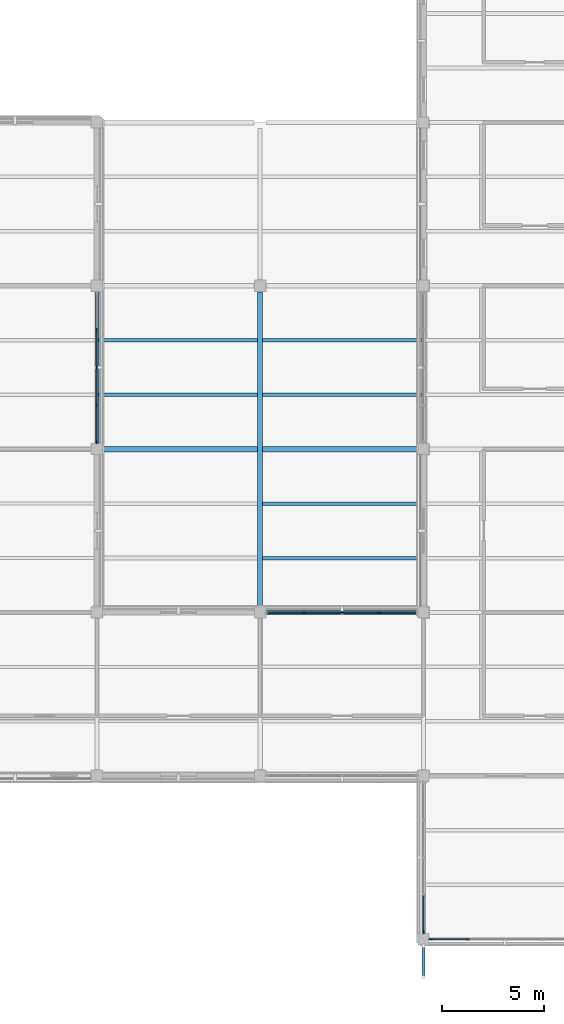
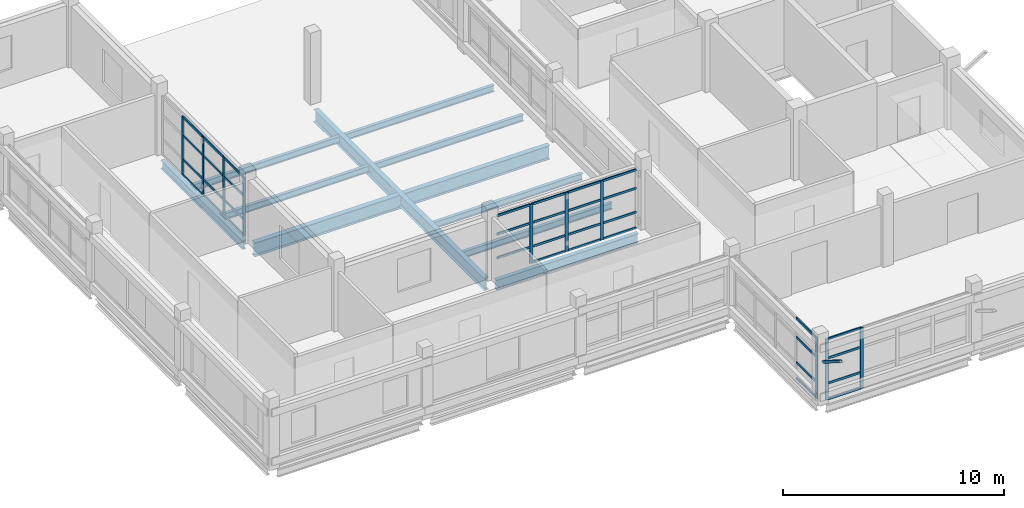
# One storey, part 39 of 107: 46 members, 10 beams, 4 elements without a shape of their own.
"""IFC4 building model written with IfcOpenShell, lengths in metres."""

from ifc_helpers import new_model, si_unit, derived_unit, direction, frame, origin, origin_2d, place, context, subcontext, project, spatial, rectangle, hollow_rectangle, i_section, extrude, material, layer, layer_set, material_profile, profile_set, type_object, element, aggregate, save


model = new_model("IFC4")

# Units and contexts
model_context = context("Model", 3, precision=1e-05, world=origin(), true_north=direction((0.0, 1.0)))
body_context = subcontext(model_context, "Body", "Model", "MODEL_VIEW")
ifc_project = project(units=[si_unit("LENGTHUNIT", "METRE"), si_unit("AREAUNIT", "SQUARE_METRE"), si_unit("VOLUMEUNIT", "CUBIC_METRE"), si_unit("PLANEANGLEUNIT", "RADIAN"), si_unit("MASSUNIT", "GRAM", prefix="KILO"), derived_unit("THERMALTRANSMITTANCEUNIT", [(si_unit("MASSUNIT", "GRAM", prefix="KILO"), 1), (si_unit("TIMEUNIT", "SECOND"), -3), (si_unit("THERMODYNAMICTEMPERATUREUNIT", "KELVIN"), -1)])], contexts=[model_context])

# Site, building, storey
site_placement = place(None, origin())
site = spatial("IfcSite", under=ifc_project, at=site_placement, CompositionType="ELEMENT")
building_placement = place(site_placement, origin())
building = spatial("IfcBuilding", under=site, at=building_placement, Name="Veyamyaing Civic Hall", CompositionType="ELEMENT")
storey_placement = place(building_placement, frame((0.0, 0.0, 13.860107421875)))
storey = spatial("IfcBuildingStorey", under=building, at=storey_placement, Name="L03", CompositionType="ELEMENT", Elevation=13.860107421875)

# Beams
ifc_material_1 = material(Name="Steel ASTM A992", Category="steel")
ifc_material_profile_1 = material_profile(ifc_material_1, i_section(OverallWidth=0.208984375, OverallDepth=0.532958984375, WebThickness=0.01025390625, FlangeThickness=0.015625, FilletRadius=0.011962890625, at=origin_2d()), Name="W530X92")
ifc_profile_set_1 = profile_set([ifc_material_profile_1], Name="Steel ASTM A992")
beam_type_1 = type_object("IfcBeamType", Name="B-07", PredefinedType="BEAM", material=ifc_profile_set_1)
beam_1_placement = place(storey_placement, frame((152.300048828125, 16.0, -0.521728515625), z_axis=(1.0, 0.0, 0.0), x_axis=(0.0, 1.0, 0.0)))
element("IfcBeam", 1, at=beam_1_placement, inside=storey, type_object=beam_type_1, Name="Girder B-07 L03 Grid C 20-21", PredefinedType="BEAM", context=body_context, shape_type="SweptSolid", body=[
    extrude(i_section(OverallWidth=0.208984375, OverallDepth=0.532958984375, WebThickness=0.01025390625, FlangeThickness=0.015625, FilletRadius=0.011962890625, at=origin_2d()), origin(), (0.0, 0.0, 1.0), 7.39990234375),
])
ifc_material_profile_2 = material_profile(ifc_material_1, i_section(OverallWidth=0.19189453125, OverallDepth=0.462890625, WebThickness=0.010498046875, FlangeThickness=0.017578125, FilletRadius=0.010009765625, at=origin_2d()), Name="W460X89")
ifc_profile_set_2 = profile_set([ifc_material_profile_2], Name="Steel ASTM A992")
beam_type_2 = type_object("IfcBeamType", Name="B-08", PredefinedType="BEAM", material=ifc_profile_set_2)
beam_2_placement = place(storey_placement, frame((144.0, 24.300048828125, -0.486572265625), z_axis=(0.0, 1.0, 0.0), x_axis=(-1.0, 0.0, 0.0)))
element("IfcBeam", 2, at=beam_2_placement, inside=storey, type_object=beam_type_2, Name="Girder B-08 L03 Grid 19 D-E", PredefinedType="BEAM", context=body_context, shape_type="SweptSolid", body=[
    extrude(i_section(OverallWidth=0.19189453125, OverallDepth=0.462890625, WebThickness=0.010498046875, FlangeThickness=0.017578125, FilletRadius=0.010009765625, at=origin_2d()), origin(), (0.0, 0.0, 1.0), 7.39990234375),
])
ifc_material_profile_3 = material_profile(ifc_material_1, i_section(OverallWidth=0.26611328125, OverallDepth=0.758056640625, WebThickness=0.013916015625, FlangeThickness=0.019287109375, FilletRadius=0.01611328125, at=origin_2d()), Name="W760X161")
ifc_profile_set_3 = profile_set([ifc_material_profile_3], Name="Steel ASTM A992")
beam_type_3 = type_object("IfcBeamType", Name="B-13", PredefinedType="BEAM", material=ifc_profile_set_3)
beam_3_placement = place(storey_placement, frame((144.300048828125, 24.0, -0.619140625), z_axis=(1.0, 0.0, 0.0), x_axis=(0.0, 1.0, 0.0)))
element("IfcBeam", 3, at=beam_3_placement, inside=storey, type_object=beam_type_3, Name="Girder B-13 L03 Grid D 19-21", PredefinedType="BEAM", context=body_context, shape_type="SweptSolid", body=[
    extrude(i_section(OverallWidth=0.26611328125, OverallDepth=0.758056640625, WebThickness=0.013916015625, FlangeThickness=0.019287109375, FilletRadius=0.01611328125, at=origin_2d()), origin(), (0.0, 0.0, 1.0), 15.39990234375),
])
ifc_material_profile_4 = material_profile(ifc_material_1, i_section(OverallWidth=0.25390625, OverallDepth=0.68408203125, WebThickness=0.012451171875, FlangeThickness=0.01904296875, FilletRadius=0.013916015625, at=origin_2d()), Name="W690X140")
ifc_profile_set_4 = profile_set([ifc_material_profile_4], Name="Steel ASTM A992")
beam_type_4 = type_object("IfcBeamType", Name="B-14", PredefinedType="BEAM", material=ifc_profile_set_4)
beam_4_placement = place(storey_placement, frame((152.0, 16.300048828125, -0.58203125), z_axis=(0.0, 1.0, 0.0), x_axis=(-1.0, 0.0, 0.0)))
element("IfcBeam", 4, at=beam_4_placement, inside=storey, type_object=beam_type_4, Name="Girder B-14 L03 Grid 20 C-E", PredefinedType="BEAM", context=body_context, shape_type="SweptSolid", body=[
    extrude(i_section(OverallWidth=0.25390625, OverallDepth=0.68408203125, WebThickness=0.012451171875, FlangeThickness=0.01904296875, FilletRadius=0.013916015625, at=origin_2d()), origin(), (0.0, 0.0, 1.0), 15.39990234375),
])

# Curtain wall, members
ifc_material_2 = material(Name="Anodised aluminium 6063-T6", Category="aluminium")
ifc_layer = layer(ifc_material_2, 0.159912109375, Name="Anodised aluminium 6063-T6")
ifc_layer_set = layer_set([ifc_layer], Name="Anodised aluminium 6063-T6")
curtain_wall_type = type_object("IfcCurtainWallType", Name="CW-07", PredefinedType="NOTDEFINED", material=ifc_layer_set)
curtain_wall_1_placement = place(storey_placement, origin())
curtain_wall_1 = element("IfcCurtainWall", 5, at=curtain_wall_1_placement, inside=storey, type_object=curtain_wall_type, Name="Unitized curtain wall CW-07 L03 E 18.4", PredefinedType="NOTDEFINED")
ifc_material_profile_5 = material_profile(ifc_material_2, rectangle(XDim=0.06494140625, YDim=0.159912109375, at=origin_2d()), Name="ALU-MUL-65X160")
ifc_profile_set_5 = profile_set([ifc_material_profile_5], Name="Anodised aluminium 6063-T6")
member_type_1 = type_object("IfcMemberType", Name="CWM-01", PredefinedType="MULLION", material=ifc_profile_set_5)
member_1_placement = place(storey_placement, frame((144.0, 24.33740234375, 0.0), z_axis=(0.0, 0.0, 1.0), x_axis=(-1.0, 0.0, 0.0)))
member_1 = element("IfcMember", 6, at=member_1_placement, type_object=member_type_1, Name="CW-07 mullion 1", PredefinedType="MULLION", context=body_context, shape_type="SweptSolid", body=[
    extrude(rectangle(XDim=0.06494140625, YDim=0.159912109375, at=origin_2d()), origin(), (0.0, 0.0, 1.0), 3.248779296875),
])
member_2_placement = place(storey_placement, frame((144.0, 26.152587890625, 0.0), z_axis=(0.0, 0.0, 1.0), x_axis=(-1.0, 0.0, 0.0)))
member_2 = element("IfcMember", 7, at=member_2_placement, type_object=member_type_1, Name="CW-07 mullion 2", PredefinedType="MULLION", context=body_context, shape_type="SweptSolid", body=[
    extrude(rectangle(XDim=0.06494140625, YDim=0.159912109375, at=origin_2d()), origin(), (0.0, 0.0, 1.0), 3.248779296875),
])
member_3_placement = place(storey_placement, frame((144.0, 28.0, 0.0), z_axis=(0.0, 0.0, 1.0), x_axis=(-1.0, 0.0, 0.0)))
member_3 = element("IfcMember", 8, at=member_3_placement, type_object=member_type_1, Name="CW-07 mullion 3", PredefinedType="MULLION", context=body_context, shape_type="SweptSolid", body=[
    extrude(rectangle(XDim=0.06494140625, YDim=0.159912109375, at=origin_2d()), origin(), (0.0, 0.0, 1.0), 3.248779296875),
])
member_4_placement = place(storey_placement, frame((144.0, 29.847412109375, 0.0), z_axis=(0.0, 0.0, 1.0), x_axis=(-1.0, 0.0, 0.0)))
member_4 = element("IfcMember", 9, at=member_4_placement, type_object=member_type_1, Name="CW-07 mullion 4", PredefinedType="MULLION", context=body_context, shape_type="SweptSolid", body=[
    extrude(rectangle(XDim=0.06494140625, YDim=0.159912109375, at=origin_2d()), origin(), (0.0, 0.0, 1.0), 3.248779296875),
])

curtain_wall_2_placement = place(storey_placement, origin())
curtain_wall_2 = element("IfcCurtainWall", 10, at=curtain_wall_2_placement, inside=storey, type_object=curtain_wall_type, Name="Unitized curtain wall CW-07 L03 N 20.2", PredefinedType="NOTDEFINED")
member_5_placement = place(storey_placement, frame((154.152587890625, 16.0, 0.0), z_axis=(0.0, 0.0, 1.0), x_axis=(0.0, 1.0, 0.0)))
member_5 = element("IfcMember", 11, at=member_5_placement, type_object=member_type_1, Name="CW-07 mullion 2", PredefinedType="MULLION", context=body_context, shape_type="SweptSolid", body=[
    extrude(rectangle(XDim=0.06494140625, YDim=0.159912109375, at=origin_2d()), origin(), (0.0, 0.0, 1.0), 3.260009765625),
])
member_6_placement = place(storey_placement, frame((156.0, 16.0, 0.0), z_axis=(0.0, 0.0, 1.0), x_axis=(0.0, 1.0, 0.0)))
member_6 = element("IfcMember", 12, at=member_6_placement, type_object=member_type_1, Name="CW-07 mullion 3", PredefinedType="MULLION", context=body_context, shape_type="SweptSolid", body=[
    extrude(rectangle(XDim=0.06494140625, YDim=0.159912109375, at=origin_2d()), origin(), (0.0, 0.0, 1.0), 3.260009765625),
])
member_7_placement = place(storey_placement, frame((157.847412109375, 16.0, 0.0), z_axis=(0.0, 0.0, 1.0), x_axis=(0.0, 1.0, 0.0)))
member_7 = element("IfcMember", 13, at=member_7_placement, type_object=member_type_1, Name="CW-07 mullion 4", PredefinedType="MULLION", context=body_context, shape_type="SweptSolid", body=[
    extrude(rectangle(XDim=0.06494140625, YDim=0.159912109375, at=origin_2d()), origin(), (0.0, 0.0, 1.0), 3.260009765625),
])

curtain_wall_3_placement = place(storey_placement, origin())
curtain_wall_3 = element("IfcCurtainWall", 14, at=curtain_wall_3_placement, inside=storey, type_object=curtain_wall_type, Name="Unitized curtain wall CW-07 L03 S 21.1", PredefinedType="NOTDEFINED")
member_8_placement = place(storey_placement, frame((160.33740234375, 0.0, 0.0), z_axis=(0.0, 0.0, 1.0), x_axis=(0.0, 1.0, 0.0)))
member_8 = element("IfcMember", 15, at=member_8_placement, type_object=member_type_1, Name="CW-07 mullion 1", PredefinedType="MULLION", context=body_context, shape_type="SweptSolid", body=[
    extrude(rectangle(XDim=0.06494140625, YDim=0.159912109375, at=origin_2d()), origin(), (0.0, 0.0, 1.0), 3.36181640625),
])
member_9_placement = place(storey_placement, frame((162.152587890625, 0.0, 0.0), z_axis=(0.0, 0.0, 1.0), x_axis=(0.0, 1.0, 0.0)))
member_9 = element("IfcMember", 16, at=member_9_placement, type_object=member_type_1, Name="CW-07 mullion 2", PredefinedType="MULLION", context=body_context, shape_type="SweptSolid", body=[
    extrude(rectangle(XDim=0.06494140625, YDim=0.159912109375, at=origin_2d()), origin(), (0.0, 0.0, 1.0), 3.36181640625),
])

# Curtain wall, member
curtain_wall_4_placement = place(storey_placement, origin())
curtain_wall_4 = element("IfcCurtainWall", 17, at=curtain_wall_4_placement, inside=storey, type_object=curtain_wall_type, Name="Unitized curtain wall CW-07 L03 W 21.1", PredefinedType="NOTDEFINED")
member_10_placement = place(storey_placement, frame((160.0, 0.33740234375, 0.0), z_axis=(0.0, 0.0, 1.0), x_axis=(-1.0, 0.0, 0.0)))
member_10 = element("IfcMember", 18, at=member_10_placement, type_object=member_type_1, Name="CW-07 mullion 1", PredefinedType="MULLION", context=body_context, shape_type="SweptSolid", body=[
    extrude(rectangle(XDim=0.06494140625, YDim=0.159912109375, at=origin_2d()), origin(), (0.0, 0.0, 1.0), 3.36181640625),
])

# Member
ifc_material_profile_6 = material_profile(ifc_material_2, rectangle(XDim=0.06494140625, YDim=0.1201171875, at=origin_2d()), Name="ALU-TRN-65X120")
ifc_profile_set_6 = profile_set([ifc_material_profile_6], Name="Anodised aluminium 6063-T6")
member_type_2 = type_object("IfcMemberType", Name="CWT-01", PredefinedType="USERDEFINED", material=ifc_profile_set_6)
member_11_placement = place(storey_placement, frame((144.0, 24.3701171875, 0.032470703125), z_axis=(0.0, 1.0, 0.0), x_axis=(-1.0, 0.0, 0.0)))
member_11 = element("IfcMember", 19, at=member_11_placement, type_object=member_type_2, Name="CW-07 transom 1.1", ObjectType="TRANSOM", PredefinedType="USERDEFINED", context=body_context, shape_type="SweptSolid", body=[
    extrude(rectangle(XDim=0.06494140625, YDim=0.1201171875, at=origin_2d()), origin(), (0.0, 0.0, 1.0), 1.75),
])

member_12_placement = place(storey_placement, frame((144.0, 24.3701171875, 0.89990234375), z_axis=(0.0, 1.0, 0.0), x_axis=(-1.0, 0.0, 0.0)))
member_12 = element("IfcMember", 20, at=member_12_placement, type_object=member_type_2, Name="CW-07 transom 1.2", ObjectType="TRANSOM", PredefinedType="USERDEFINED", context=body_context, shape_type="SweptSolid", body=[
    extrude(rectangle(XDim=0.06494140625, YDim=0.1201171875, at=origin_2d()), origin(), (0.0, 0.0, 1.0), 1.75),
])

member_13_placement = place(storey_placement, frame((144.0, 24.3701171875, 2.209228515625), z_axis=(0.0, 1.0, 0.0), x_axis=(-1.0, 0.0, 0.0)))
member_13 = element("IfcMember", 21, at=member_13_placement, type_object=member_type_2, Name="CW-07 transom 1.3", ObjectType="TRANSOM", PredefinedType="USERDEFINED", context=body_context, shape_type="SweptSolid", body=[
    extrude(rectangle(XDim=0.06494140625, YDim=0.1201171875, at=origin_2d()), origin(), (0.0, 0.0, 1.0), 1.75),
])

member_14_placement = place(storey_placement, frame((144.0, 24.3701171875, 3.21630859375), z_axis=(0.0, 1.0, 0.0), x_axis=(-1.0, 0.0, 0.0)))
member_14 = element("IfcMember", 22, at=member_14_placement, type_object=member_type_2, Name="CW-07 transom 1.4", ObjectType="TRANSOM", PredefinedType="USERDEFINED", context=body_context, shape_type="SweptSolid", body=[
    extrude(rectangle(XDim=0.06494140625, YDim=0.1201171875, at=origin_2d()), origin(), (0.0, 0.0, 1.0), 1.75),
])

member_15_placement = place(storey_placement, frame((144.0, 26.18505859375, 0.032470703125), z_axis=(0.0, 1.0, 0.0), x_axis=(-1.0, 0.0, 0.0)))
member_15 = element("IfcMember", 23, at=member_15_placement, type_object=member_type_2, Name="CW-07 transom 2.1", ObjectType="TRANSOM", PredefinedType="USERDEFINED", context=body_context, shape_type="SweptSolid", body=[
    extrude(rectangle(XDim=0.06494140625, YDim=0.1201171875, at=origin_2d()), origin(), (0.0, 0.0, 1.0), 1.782470703125),
])

member_16_placement = place(storey_placement, frame((144.0, 26.18505859375, 0.89990234375), z_axis=(0.0, 1.0, 0.0), x_axis=(-1.0, 0.0, 0.0)))
member_16 = element("IfcMember", 24, at=member_16_placement, type_object=member_type_2, Name="CW-07 transom 2.2", ObjectType="TRANSOM", PredefinedType="USERDEFINED", context=body_context, shape_type="SweptSolid", body=[
    extrude(rectangle(XDim=0.06494140625, YDim=0.1201171875, at=origin_2d()), origin(), (0.0, 0.0, 1.0), 1.782470703125),
])

member_17_placement = place(storey_placement, frame((144.0, 26.18505859375, 2.209228515625), z_axis=(0.0, 1.0, 0.0), x_axis=(-1.0, 0.0, 0.0)))
member_17 = element("IfcMember", 25, at=member_17_placement, type_object=member_type_2, Name="CW-07 transom 2.3", ObjectType="TRANSOM", PredefinedType="USERDEFINED", context=body_context, shape_type="SweptSolid", body=[
    extrude(rectangle(XDim=0.06494140625, YDim=0.1201171875, at=origin_2d()), origin(), (0.0, 0.0, 1.0), 1.782470703125),
])

member_18_placement = place(storey_placement, frame((144.0, 26.18505859375, 3.21630859375), z_axis=(0.0, 1.0, 0.0), x_axis=(-1.0, 0.0, 0.0)))
member_18 = element("IfcMember", 26, at=member_18_placement, type_object=member_type_2, Name="CW-07 transom 2.4", ObjectType="TRANSOM", PredefinedType="USERDEFINED", context=body_context, shape_type="SweptSolid", body=[
    extrude(rectangle(XDim=0.06494140625, YDim=0.1201171875, at=origin_2d()), origin(), (0.0, 0.0, 1.0), 1.782470703125),
])

member_19_placement = place(storey_placement, frame((144.0, 28.032470703125, 0.032470703125), z_axis=(0.0, 1.0, 0.0), x_axis=(-1.0, 0.0, 0.0)))
member_19 = element("IfcMember", 27, at=member_19_placement, type_object=member_type_2, Name="CW-07 transom 3.1", ObjectType="TRANSOM", PredefinedType="USERDEFINED", context=body_context, shape_type="SweptSolid", body=[
    extrude(rectangle(XDim=0.06494140625, YDim=0.1201171875, at=origin_2d()), origin(), (0.0, 0.0, 1.0), 1.782470703125),
])

member_20_placement = place(storey_placement, frame((144.0, 28.032470703125, 0.89990234375), z_axis=(0.0, 1.0, 0.0), x_axis=(-1.0, 0.0, 0.0)))
member_20 = element("IfcMember", 28, at=member_20_placement, type_object=member_type_2, Name="CW-07 transom 3.2", ObjectType="TRANSOM", PredefinedType="USERDEFINED", context=body_context, shape_type="SweptSolid", body=[
    extrude(rectangle(XDim=0.06494140625, YDim=0.1201171875, at=origin_2d()), origin(), (0.0, 0.0, 1.0), 1.782470703125),
])

member_21_placement = place(storey_placement, frame((144.0, 28.032470703125, 2.209228515625), z_axis=(0.0, 1.0, 0.0), x_axis=(-1.0, 0.0, 0.0)))
member_21 = element("IfcMember", 29, at=member_21_placement, type_object=member_type_2, Name="CW-07 transom 3.3", ObjectType="TRANSOM", PredefinedType="USERDEFINED", context=body_context, shape_type="SweptSolid", body=[
    extrude(rectangle(XDim=0.06494140625, YDim=0.1201171875, at=origin_2d()), origin(), (0.0, 0.0, 1.0), 1.782470703125),
])

member_22_placement = place(storey_placement, frame((144.0, 28.032470703125, 3.21630859375), z_axis=(0.0, 1.0, 0.0), x_axis=(-1.0, 0.0, 0.0)))
member_22 = element("IfcMember", 30, at=member_22_placement, type_object=member_type_2, Name="CW-07 transom 3.4", ObjectType="TRANSOM", PredefinedType="USERDEFINED", context=body_context, shape_type="SweptSolid", body=[
    extrude(rectangle(XDim=0.06494140625, YDim=0.1201171875, at=origin_2d()), origin(), (0.0, 0.0, 1.0), 1.782470703125),
])

aggregate(curtain_wall_1, [member_1, member_2, member_3, member_4, member_11, member_12, member_13, member_14, member_15, member_16, member_17, member_18, member_19, member_20, member_21, member_22])

member_23_placement = place(storey_placement, frame((152.3701171875, 16.0, 0.89990234375), z_axis=(1.0, 0.0, 0.0), x_axis=(0.0, 1.0, 0.0)))
member_23 = element("IfcMember", 31, at=member_23_placement, type_object=member_type_2, Name="CW-07 transom 1.2", ObjectType="TRANSOM", PredefinedType="USERDEFINED", context=body_context, shape_type="SweptSolid", body=[
    extrude(rectangle(XDim=0.06494140625, YDim=0.1201171875, at=origin_2d()), origin(), (0.0, 0.0, 1.0), 1.75),
])

member_24_placement = place(storey_placement, frame((152.3701171875, 16.0, 2.216796875), z_axis=(1.0, 0.0, 0.0), x_axis=(0.0, 1.0, 0.0)))
member_24 = element("IfcMember", 32, at=member_24_placement, type_object=member_type_2, Name="CW-07 transom 1.3", ObjectType="TRANSOM", PredefinedType="USERDEFINED", context=body_context, shape_type="SweptSolid", body=[
    extrude(rectangle(XDim=0.06494140625, YDim=0.1201171875, at=origin_2d()), origin(), (0.0, 0.0, 1.0), 1.75),
])

member_25_placement = place(storey_placement, frame((152.3701171875, 16.0, 3.227294921875), z_axis=(1.0, 0.0, 0.0), x_axis=(0.0, 1.0, 0.0)))
member_25 = element("IfcMember", 33, at=member_25_placement, type_object=member_type_2, Name="CW-07 transom 1.4", ObjectType="TRANSOM", PredefinedType="USERDEFINED", context=body_context, shape_type="SweptSolid", body=[
    extrude(rectangle(XDim=0.06494140625, YDim=0.1201171875, at=origin_2d()), origin(), (0.0, 0.0, 1.0), 1.75),
])

member_26_placement = place(storey_placement, frame((154.18505859375, 16.0, 0.032470703125), z_axis=(1.0, 0.0, 0.0), x_axis=(0.0, 1.0, 0.0)))
member_26 = element("IfcMember", 34, at=member_26_placement, type_object=member_type_2, Name="CW-07 transom 2.1", ObjectType="TRANSOM", PredefinedType="USERDEFINED", context=body_context, shape_type="SweptSolid", body=[
    extrude(rectangle(XDim=0.06494140625, YDim=0.1201171875, at=origin_2d()), origin(), (0.0, 0.0, 1.0), 1.782470703125),
])

member_27_placement = place(storey_placement, frame((154.18505859375, 16.0, 0.89990234375), z_axis=(1.0, 0.0, 0.0), x_axis=(0.0, 1.0, 0.0)))
member_27 = element("IfcMember", 35, at=member_27_placement, type_object=member_type_2, Name="CW-07 transom 2.2", ObjectType="TRANSOM", PredefinedType="USERDEFINED", context=body_context, shape_type="SweptSolid", body=[
    extrude(rectangle(XDim=0.06494140625, YDim=0.1201171875, at=origin_2d()), origin(), (0.0, 0.0, 1.0), 1.782470703125),
])

member_28_placement = place(storey_placement, frame((154.18505859375, 16.0, 2.216796875), z_axis=(1.0, 0.0, 0.0), x_axis=(0.0, 1.0, 0.0)))
member_28 = element("IfcMember", 36, at=member_28_placement, type_object=member_type_2, Name="CW-07 transom 2.3", ObjectType="TRANSOM", PredefinedType="USERDEFINED", context=body_context, shape_type="SweptSolid", body=[
    extrude(rectangle(XDim=0.06494140625, YDim=0.1201171875, at=origin_2d()), origin(), (0.0, 0.0, 1.0), 1.782470703125),
])

member_29_placement = place(storey_placement, frame((154.18505859375, 16.0, 3.227294921875), z_axis=(1.0, 0.0, 0.0), x_axis=(0.0, 1.0, 0.0)))
member_29 = element("IfcMember", 37, at=member_29_placement, type_object=member_type_2, Name="CW-07 transom 2.4", ObjectType="TRANSOM", PredefinedType="USERDEFINED", context=body_context, shape_type="SweptSolid", body=[
    extrude(rectangle(XDim=0.06494140625, YDim=0.1201171875, at=origin_2d()), origin(), (0.0, 0.0, 1.0), 1.782470703125),
])

member_30_placement = place(storey_placement, frame((156.032470703125, 16.0, 0.032470703125), z_axis=(1.0, 0.0, 0.0), x_axis=(0.0, 1.0, 0.0)))
member_30 = element("IfcMember", 38, at=member_30_placement, type_object=member_type_2, Name="CW-07 transom 3.1", ObjectType="TRANSOM", PredefinedType="USERDEFINED", context=body_context, shape_type="SweptSolid", body=[
    extrude(rectangle(XDim=0.06494140625, YDim=0.1201171875, at=origin_2d()), origin(), (0.0, 0.0, 1.0), 1.782470703125),
])

member_31_placement = place(storey_placement, frame((156.032470703125, 16.0, 0.89990234375), z_axis=(1.0, 0.0, 0.0), x_axis=(0.0, 1.0, 0.0)))
member_31 = element("IfcMember", 39, at=member_31_placement, type_object=member_type_2, Name="CW-07 transom 3.2", ObjectType="TRANSOM", PredefinedType="USERDEFINED", context=body_context, shape_type="SweptSolid", body=[
    extrude(rectangle(XDim=0.06494140625, YDim=0.1201171875, at=origin_2d()), origin(), (0.0, 0.0, 1.0), 1.782470703125),
])

member_32_placement = place(storey_placement, frame((156.032470703125, 16.0, 2.216796875), z_axis=(1.0, 0.0, 0.0), x_axis=(0.0, 1.0, 0.0)))
member_32 = element("IfcMember", 40, at=member_32_placement, type_object=member_type_2, Name="CW-07 transom 3.3", ObjectType="TRANSOM", PredefinedType="USERDEFINED", context=body_context, shape_type="SweptSolid", body=[
    extrude(rectangle(XDim=0.06494140625, YDim=0.1201171875, at=origin_2d()), origin(), (0.0, 0.0, 1.0), 1.782470703125),
])

member_33_placement = place(storey_placement, frame((156.032470703125, 16.0, 3.227294921875), z_axis=(1.0, 0.0, 0.0), x_axis=(0.0, 1.0, 0.0)))
member_33 = element("IfcMember", 41, at=member_33_placement, type_object=member_type_2, Name="CW-07 transom 3.4", ObjectType="TRANSOM", PredefinedType="USERDEFINED", context=body_context, shape_type="SweptSolid", body=[
    extrude(rectangle(XDim=0.06494140625, YDim=0.1201171875, at=origin_2d()), origin(), (0.0, 0.0, 1.0), 1.782470703125),
])

member_34_placement = place(storey_placement, frame((157.8798828125, 16.0, 0.032470703125), z_axis=(1.0, 0.0, 0.0), x_axis=(0.0, 1.0, 0.0)))
member_34 = element("IfcMember", 42, at=member_34_placement, type_object=member_type_2, Name="CW-07 transom 4.1", ObjectType="TRANSOM", PredefinedType="USERDEFINED", context=body_context, shape_type="SweptSolid", body=[
    extrude(rectangle(XDim=0.06494140625, YDim=0.1201171875, at=origin_2d()), origin(), (0.0, 0.0, 1.0), 1.75),
])

member_35_placement = place(storey_placement, frame((157.8798828125, 16.0, 0.89990234375), z_axis=(1.0, 0.0, 0.0), x_axis=(0.0, 1.0, 0.0)))
member_35 = element("IfcMember", 43, at=member_35_placement, type_object=member_type_2, Name="CW-07 transom 4.2", ObjectType="TRANSOM", PredefinedType="USERDEFINED", context=body_context, shape_type="SweptSolid", body=[
    extrude(rectangle(XDim=0.06494140625, YDim=0.1201171875, at=origin_2d()), origin(), (0.0, 0.0, 1.0), 1.75),
])

member_36_placement = place(storey_placement, frame((157.8798828125, 16.0, 2.216796875), z_axis=(1.0, 0.0, 0.0), x_axis=(0.0, 1.0, 0.0)))
member_36 = element("IfcMember", 44, at=member_36_placement, type_object=member_type_2, Name="CW-07 transom 4.3", ObjectType="TRANSOM", PredefinedType="USERDEFINED", context=body_context, shape_type="SweptSolid", body=[
    extrude(rectangle(XDim=0.06494140625, YDim=0.1201171875, at=origin_2d()), origin(), (0.0, 0.0, 1.0), 1.75),
])

member_37_placement = place(storey_placement, frame((157.8798828125, 16.0, 3.227294921875), z_axis=(1.0, 0.0, 0.0), x_axis=(0.0, 1.0, 0.0)))
member_37 = element("IfcMember", 45, at=member_37_placement, type_object=member_type_2, Name="CW-07 transom 4.4", ObjectType="TRANSOM", PredefinedType="USERDEFINED", context=body_context, shape_type="SweptSolid", body=[
    extrude(rectangle(XDim=0.06494140625, YDim=0.1201171875, at=origin_2d()), origin(), (0.0, 0.0, 1.0), 1.75),
])

aggregate(curtain_wall_2, [member_5, member_6, member_7, member_23, member_24, member_25, member_26, member_27, member_28, member_29, member_30, member_31, member_32, member_33, member_34, member_35, member_36, member_37])

member_38_placement = place(storey_placement, frame((160.3701171875, 0.0, 0.032470703125), z_axis=(1.0, 0.0, 0.0), x_axis=(0.0, 1.0, 0.0)))
member_38 = element("IfcMember", 46, at=member_38_placement, type_object=member_type_2, Name="CW-07 transom 1.1", ObjectType="TRANSOM", PredefinedType="USERDEFINED", context=body_context, shape_type="SweptSolid", body=[
    extrude(rectangle(XDim=0.06494140625, YDim=0.1201171875, at=origin_2d()), origin(), (0.0, 0.0, 1.0), 1.75),
])

member_39_placement = place(storey_placement, frame((160.3701171875, 0.0, 0.89990234375), z_axis=(1.0, 0.0, 0.0), x_axis=(0.0, 1.0, 0.0)))
member_39 = element("IfcMember", 47, at=member_39_placement, type_object=member_type_2, Name="CW-07 transom 1.2", ObjectType="TRANSOM", PredefinedType="USERDEFINED", context=body_context, shape_type="SweptSolid", body=[
    extrude(rectangle(XDim=0.06494140625, YDim=0.1201171875, at=origin_2d()), origin(), (0.0, 0.0, 1.0), 1.75),
])

member_40_placement = place(storey_placement, frame((160.3701171875, 0.0, 2.2861328125), z_axis=(1.0, 0.0, 0.0), x_axis=(0.0, 1.0, 0.0)))
member_40 = element("IfcMember", 48, at=member_40_placement, type_object=member_type_2, Name="CW-07 transom 1.3", ObjectType="TRANSOM", PredefinedType="USERDEFINED", context=body_context, shape_type="SweptSolid", body=[
    extrude(rectangle(XDim=0.06494140625, YDim=0.1201171875, at=origin_2d()), origin(), (0.0, 0.0, 1.0), 1.75),
])

member_41_placement = place(storey_placement, frame((160.3701171875, 0.0, 3.329345703125), z_axis=(1.0, 0.0, 0.0), x_axis=(0.0, 1.0, 0.0)))
member_41 = element("IfcMember", 49, at=member_41_placement, type_object=member_type_2, Name="CW-07 transom 1.4", ObjectType="TRANSOM", PredefinedType="USERDEFINED", context=body_context, shape_type="SweptSolid", body=[
    extrude(rectangle(XDim=0.06494140625, YDim=0.1201171875, at=origin_2d()), origin(), (0.0, 0.0, 1.0), 1.75),
])

aggregate(curtain_wall_3, [member_8, member_9, member_38, member_39, member_40, member_41])

member_42_placement = place(storey_placement, frame((160.0, 0.3701171875, 0.032470703125), z_axis=(0.0, 1.0, 0.0), x_axis=(-1.0, 0.0, 0.0)))
member_42 = element("IfcMember", 50, at=member_42_placement, type_object=member_type_2, Name="CW-07 transom 1.1", ObjectType="TRANSOM", PredefinedType="USERDEFINED", context=body_context, shape_type="SweptSolid", body=[
    extrude(rectangle(XDim=0.06494140625, YDim=0.1201171875, at=origin_2d()), origin(), (0.0, 0.0, 1.0), 1.75),
])

member_43_placement = place(storey_placement, frame((160.0, 0.3701171875, 0.89990234375), z_axis=(0.0, 1.0, 0.0), x_axis=(-1.0, 0.0, 0.0)))
member_43 = element("IfcMember", 51, at=member_43_placement, type_object=member_type_2, Name="CW-07 transom 1.2", ObjectType="TRANSOM", PredefinedType="USERDEFINED", context=body_context, shape_type="SweptSolid", body=[
    extrude(rectangle(XDim=0.06494140625, YDim=0.1201171875, at=origin_2d()), origin(), (0.0, 0.0, 1.0), 1.75),
])

member_44_placement = place(storey_placement, frame((160.0, 0.3701171875, 2.2861328125), z_axis=(0.0, 1.0, 0.0), x_axis=(-1.0, 0.0, 0.0)))
member_44 = element("IfcMember", 52, at=member_44_placement, type_object=member_type_2, Name="CW-07 transom 1.3", ObjectType="TRANSOM", PredefinedType="USERDEFINED", context=body_context, shape_type="SweptSolid", body=[
    extrude(rectangle(XDim=0.06494140625, YDim=0.1201171875, at=origin_2d()), origin(), (0.0, 0.0, 1.0), 1.75),
])

member_45_placement = place(storey_placement, frame((160.0, 0.3701171875, 3.329345703125), z_axis=(0.0, 1.0, 0.0), x_axis=(-1.0, 0.0, 0.0)))
member_45 = element("IfcMember", 53, at=member_45_placement, type_object=member_type_2, Name="CW-07 transom 1.4", ObjectType="TRANSOM", PredefinedType="USERDEFINED", context=body_context, shape_type="SweptSolid", body=[
    extrude(rectangle(XDim=0.06494140625, YDim=0.1201171875, at=origin_2d()), origin(), (0.0, 0.0, 1.0), 1.75),
])

aggregate(curtain_wall_4, [member_10, member_42, member_43, member_44, member_45])

# Beams
ifc_material_profile_7 = material_profile(ifc_material_1, i_section(OverallWidth=0.172119140625, OverallDepth=0.35791015625, WebThickness=0.0078125, FlangeThickness=0.01318359375, FilletRadius=0.010009765625, at=origin_2d()), Name="W360X57")
ifc_profile_set_7 = profile_set([ifc_material_profile_7], Name="Steel ASTM A992")
beam_type_5 = type_object("IfcBeamType", Name="J-02", PredefinedType="JOIST", material=ifc_profile_set_7)
for number, where, z_axis, x_axis, name in (
    (54, (144.093994140625, 26.666748046875, -0.43408203125), (1.0, 0.0, 0.0), (0.0, 1.0, 0.0), "Composite floor joist J-02 L03 19.4.1"),
    (55, (144.093994140625, 29.333251953125, -0.43408203125), (1.0, 0.0, 0.0), (0.0, 1.0, 0.0), "Composite floor joist J-02 L03 19.4.2"),
):
    element("IfcBeam", number, at=place(storey_placement, frame(where, z_axis=z_axis, x_axis=x_axis)), inside=storey, type_object=beam_type_5, Name=name, PredefinedType="JOIST", context=body_context, shape_type="SweptSolid", body=[
        extrude(i_section(OverallWidth=0.172119140625, OverallDepth=0.35791015625, WebThickness=0.0078125, FlangeThickness=0.01318359375, FilletRadius=0.010009765625, at=origin_2d()), origin(), (0.0, 0.0, 1.0), 7.781005859375),
    ])
for number, where, z_axis, x_axis, name in (
    (56, (152.125, 18.666748046875, -0.43408203125), (1.0, 0.0, 0.0), (0.0, 1.0, 0.0), "Composite floor joist J-02 L03 20.3.1"),
    (57, (152.125, 21.333251953125, -0.43408203125), (1.0, 0.0, 0.0), (0.0, 1.0, 0.0), "Composite floor joist J-02 L03 20.3.2"),
):
    element("IfcBeam", number, at=place(storey_placement, frame(where, z_axis=z_axis, x_axis=x_axis)), inside=storey, type_object=beam_type_5, Name=name, PredefinedType="JOIST", context=body_context, shape_type="SweptSolid", body=[
        extrude(i_section(OverallWidth=0.172119140625, OverallDepth=0.35791015625, WebThickness=0.0078125, FlangeThickness=0.01318359375, FilletRadius=0.010009765625, at=origin_2d()), origin(), (0.0, 0.0, 1.0), 7.771484375),
    ])
ifc_material_profile_8 = material_profile(ifc_material_1, i_section(OverallWidth=0.1708984375, OverallDepth=0.35205078125, WebThickness=0.0068359375, FlangeThickness=0.009765625, FilletRadius=0.010009765625, at=origin_2d()), Name="W360X44")
ifc_profile_set_8 = profile_set([ifc_material_profile_8], Name="Steel ASTM A992")
beam_type_6 = type_object("IfcBeamType", Name="J-03", PredefinedType="JOIST", material=ifc_profile_set_8)
for number, where, z_axis, x_axis, name in (
    (58, (152.125, 26.666748046875, -0.43115234375), (1.0, 0.0, 0.0), (0.0, 1.0, 0.0), "Composite floor joist J-03 L03 20.4.1"),
    (59, (152.125, 29.333251953125, -0.43115234375), (1.0, 0.0, 0.0), (0.0, 1.0, 0.0), "Composite floor joist J-03 L03 20.4.2"),
):
    element("IfcBeam", number, at=place(storey_placement, frame(where, z_axis=z_axis, x_axis=x_axis)), inside=storey, type_object=beam_type_6, Name=name, PredefinedType="JOIST", context=body_context, shape_type="SweptSolid", body=[
        extrude(i_section(OverallWidth=0.1708984375, OverallDepth=0.35205078125, WebThickness=0.0068359375, FlangeThickness=0.009765625, FilletRadius=0.010009765625, at=origin_2d()), origin(), (0.0, 0.0, 1.0), 7.780029296875),
    ])

# Member
ifc_material_3 = material(Name="Steel S355J2", Category="steel")
ifc_material_profile_9 = material_profile(ifc_material_3, hollow_rectangle(XDim=0.126953125, YDim=0.126953125, WallThickness=0.009521484375, at=origin_2d()), Name="HSS127X127X9.5")
ifc_profile_set_9 = profile_set([ifc_material_profile_9], Name="Steel S355J2")
member_type_3 = type_object("IfcMemberType", Name="SR-03", PredefinedType="STRUT", material=ifc_profile_set_9)
member_46_placement = place(storey_placement, frame((160.0, -0.320068359375, 2.409912109375), z_axis=(0.0, -0.852059527287, 0.523444898685), x_axis=(1.0, 0.0, 0.0)))
element("IfcMember", 60, at=member_46_placement, inside=storey, type_object=member_type_3, Name="Sacak diagonal steel eave strut SR-03 V3-S.20", PredefinedType="STRUT", context=body_context, shape_type="SweptSolid", body=[
    extrude(hollow_rectangle(XDim=0.126953125, YDim=0.126953125, WallThickness=0.009521484375, at=origin_2d()), origin(), (0.0, 0.0, 1.0), 1.795654296875),
])

save(model, "model.ifc")
